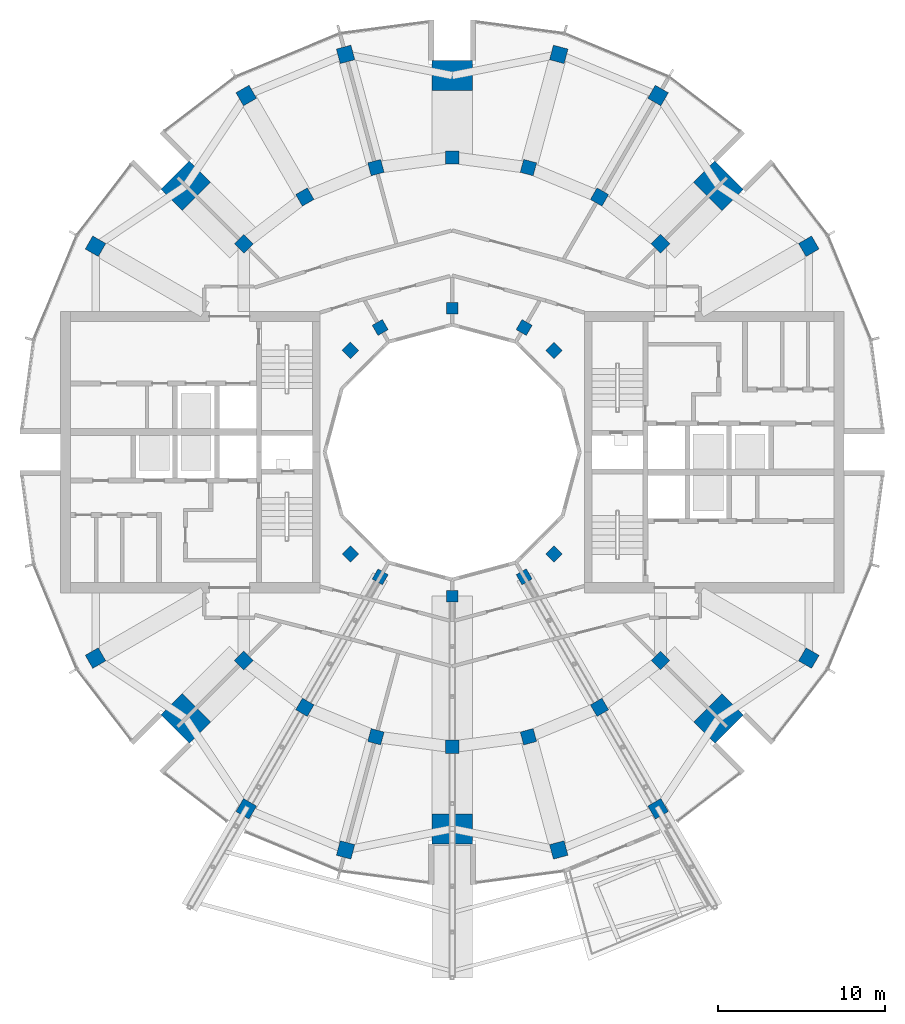
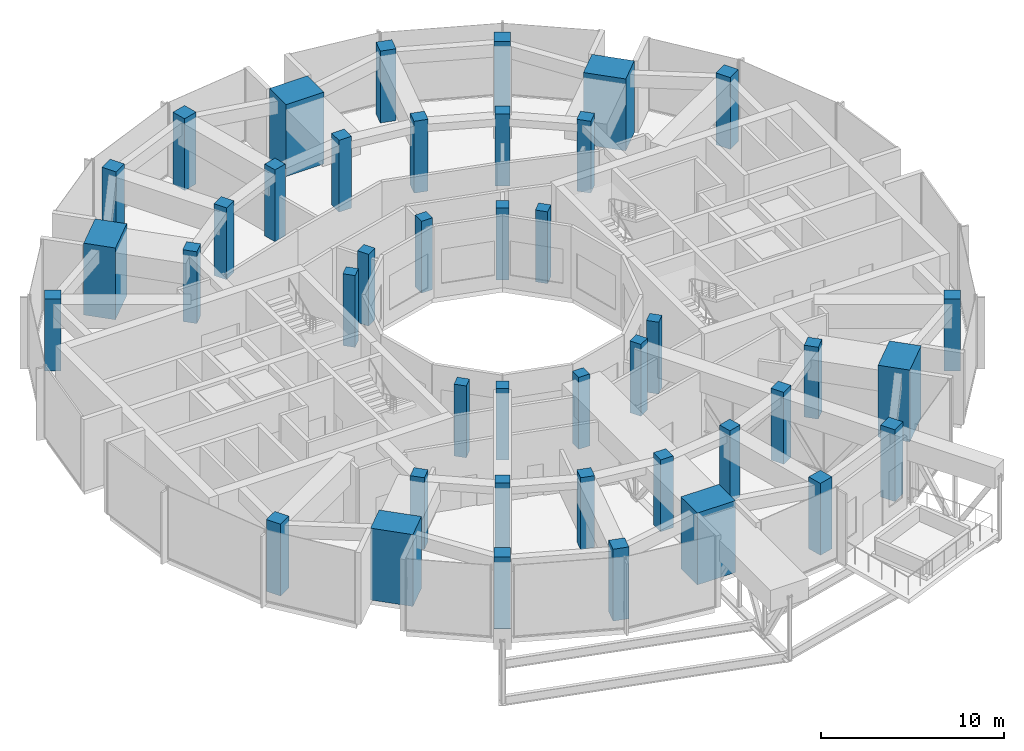
# One storey, part 1 of 17: 42 columns.
"""IFC4 building model written with IfcOpenShell, lengths in metres."""

import ifcopenshell
import ifcopenshell.guid

model = None  # the IFC model being written
_history = None  # IfcOwnerHistory: only IFC2X3 demands one
_inside = {}  # id of a spatial element -> (the spatial element, [elements in it])
_under = {}  # id of a project, library or spatial element -> (it, [spatial elements below it])
_declared = {}  # id of a project -> (the project, [libraries it declares])
_typed = {}  # id of a type object -> (the type object, [elements of that type])
_made_of = {}  # id of a material, layer set ... -> (it, [elements and type objects made of it])


def new_model(schema):
    """Start an empty IFC model of exactly this schema.

    Asked for "IFC4X3", IfcOpenShell would pick the latest addendum, in which some entities
    have other attributes; the version numbers below select the first issue.
    IFC2X3 requires an IfcOwnerHistory on every rooted entity: one is made here for all.
    """
    global model, _history
    if schema == "IFC4X3":
        model = ifcopenshell.file(schema_version=(4, 3, 0, 0))
    else:
        model = ifcopenshell.file(schema=schema)
    _inside.clear()
    _under.clear()
    _declared.clear()
    _typed.clear()
    _made_of.clear()
    _history = None
    if model.schema == "IFC2X3":
        org = make("IfcOrganization", Name="unknown")
        user = make(
            "IfcPersonAndOrganization",
            ThePerson=make("IfcPerson", FamilyName="unknown"),
            TheOrganization=org,
        )
        app = make(
            "IfcApplication",
            ApplicationDeveloper=org,
            Version="unknown",
            ApplicationFullName="unknown",
            ApplicationIdentifier="unknown",
        )
        _history = make(
            "IfcOwnerHistory",
            OwningUser=user,
            OwningApplication=app,
            ChangeAction="ADDED",
            CreationDate=0,
        )
    return model


def make(cls, **values):
    """One entity of the class cls with the attributes given. An attribute that is None is left unset."""
    return model.create_entity(
        cls, **{name: value for name, value in values.items() if value is not None}
    )


def rooted(cls, **values):
    """An entity with a GlobalId (a new one), such as an element, a storey or a relation."""
    return make(cls, GlobalId=ifcopenshell.guid.new(), OwnerHistory=_history, **values)


def si_unit(unit_type, name, prefix=None):
    """IfcSIUnit, for example si_unit("LENGTHUNIT", "METRE", prefix="MILLI")."""
    return make("IfcSIUnit", UnitType=unit_type, Prefix=prefix, Name=name)


def assignment(units):
    """IfcUnitAssignment: the units of a project."""
    return None if units is None else make("IfcUnitAssignment", Units=units)


def point(xyz):
    """IfcCartesianPoint."""
    return None if xyz is None else make("IfcCartesianPoint", Coordinates=xyz)


def direction(xyz):
    """IfcDirection."""
    return None if xyz is None else make("IfcDirection", DirectionRatios=xyz)


def frame(location, z_axis=None, x_axis=None):
    """IfcAxis2Placement3D, a coordinate frame: its origin and axes. An axis left out is left unset."""
    return make(
        "IfcAxis2Placement3D",
        Location=point(location),
        Axis=direction(z_axis),
        RefDirection=direction(x_axis),
    )


def frame_2d(location, x_axis=None):
    """IfcAxis2Placement2D, a coordinate frame in the plane: its origin and x axis."""
    return make(
        "IfcAxis2Placement2D", Location=point(location), RefDirection=direction(x_axis)
    )


def origin():
    """The frame at (0, 0, 0) with its axes left unset."""
    return frame((0.0, 0.0, 0.0))


def origin_2d():
    """The frame at (0, 0) in the plane with its x axis left unset."""
    return frame_2d((0.0, 0.0))


def place(relative_to, where):
    """IfcLocalPlacement: puts the frame where relative to a parent placement (None: the world)."""
    return make(
        "IfcLocalPlacement", PlacementRelTo=relative_to, RelativePlacement=where
    )


def context(
    kind, dimensions, precision=None, world=None, true_north=None, identifier=None
):
    """IfcGeometricRepresentationContext, for example the 3D "Model" context."""
    return make(
        "IfcGeometricRepresentationContext",
        ContextIdentifier=identifier,
        ContextType=kind,
        CoordinateSpaceDimension=dimensions,
        Precision=precision,
        WorldCoordinateSystem=world,
        TrueNorth=true_north,
    )


def subcontext(parent, identifier, kind, view, scale=None):
    """IfcGeometricRepresentationSubContext, for example "Body" below "Model"."""
    return make(
        "IfcGeometricRepresentationSubContext",
        ContextIdentifier=identifier,
        ContextType=kind,
        ParentContext=parent,
        TargetScale=scale,
        TargetView=view,
    )


def project(units=None, contexts=None):
    """IfcProject with its units and contexts."""
    return rooted(
        "IfcProject",
        Name="project",
        RepresentationContexts=contexts,
        UnitsInContext=assignment(units),
    )


def spatial(cls, under=None, at=None, **own):
    """A site, building, storey or space (cls), placed at a placement, below another one or the project."""
    s = rooted(cls, ObjectPlacement=at, **own)
    if under is not None:
        _under.setdefault(under.id(), (under, []))[1].append(s)
    return s


def profile(cls, at=None, kind="AREA", **sizes):
    """A parametric profile (cls). Its sizes go by their IFC names, for example OverallWidth=200.0."""
    return make(cls, ProfileType=kind, Position=at, **sizes)


def rectangle(**sizes):
    """IfcRectangleProfileDef."""
    return profile("IfcRectangleProfileDef", **sizes)


def extrude(swept, where, along, depth):
    """IfcExtrudedAreaSolid: the profile swept, set in the frame where, extruded along a direction by depth."""
    return make(
        "IfcExtrudedAreaSolid",
        SweptArea=swept,
        Position=where,
        ExtrudedDirection=direction(along),
        Depth=depth,
    )


def shape(context_of_items, identifier, shape_type, items):
    """IfcShapeRepresentation: the items that make up one representation, for example the "Body"."""
    return make(
        "IfcShapeRepresentation",
        ContextOfItems=context_of_items,
        RepresentationIdentifier=identifier,
        RepresentationType=shape_type,
        Items=items,
    )


def material(Name=None, Category=None):
    """IfcMaterial."""
    return make("IfcMaterial", Name=Name, Category=Category)


def material_profile(
    of_material, cross_section, Name=None, Category=None, Priority=None
):
    """IfcMaterialProfile: a cross section and its material."""
    return make(
        "IfcMaterialProfile",
        Name=Name,
        Material=of_material,
        Profile=cross_section,
        Priority=Priority,
        Category=Category,
    )


def profile_set(profiles, Name=None, composite=None):
    """IfcMaterialProfileSet."""
    return make(
        "IfcMaterialProfileSet",
        Name=Name,
        MaterialProfiles=profiles,
        CompositeProfile=composite,
    )


def made_of(thing, what):
    """Note that an element or type object is made of a material, layer set ...; save() writes the relation."""
    if what is not None:
        _made_of.setdefault(what.id(), (what, []))[1].append(thing)
    return thing


def type_object(cls, material=None, **own):
    """A type object (cls), such as IfcWallType, which elements share."""
    return made_of(rooted(cls, **own), material)


def element(
    cls,
    number,
    at=None,
    inside=None,
    cuts=None,
    type_object=None,
    material=None,
    context=None,
    identifier="Body",
    shape_type=None,
    held_by="IfcProductDefinitionShape",
    body=None,
    shapes=None,
    **own,
):
    """One element of the class cls, such as IfcWall. Its Tag is "e" and its number.

    at: its placement. inside: the storey or other place that contains it. cuts: it is an
    opening in that element (IfcRelVoidsElement). A single representation is given by context,
    identifier, shape_type and body (its items); several are given by shapes. held_by: the class
    of the entity that holds the representations. save() writes the other relations.
    """
    e = rooted(cls, Tag="e%d" % number, ObjectPlacement=at, **own)
    if body is not None:
        shapes = [shape(context, identifier, shape_type, body)]
    if shapes is not None:
        e.Representation = make(held_by, Representations=shapes)
    if inside is not None:
        _inside.setdefault(inside.id(), (inside, []))[1].append(e)
    if cuts is not None:
        rooted(
            "IfcRelVoidsElement", RelatingBuildingElement=cuts, RelatedOpeningElement=e
        )
    if type_object is not None:
        _typed.setdefault(type_object.id(), (type_object, []))[1].append(e)
    return made_of(e, material)


def aggregate(whole, parts):
    """IfcRelAggregates: a whole, such as a stair, and the parts it consists of."""
    return rooted("IfcRelAggregates", RelatingObject=whole, RelatedObjects=parts)


def save(model, path):
    """Write the relations noted so far, then the file.

    IfcRelAggregates (storeys below a building ...), IfcRelContainedInSpatialStructure (elements
    in a storey), IfcRelDefinesByType, IfcRelAssociatesMaterial and IfcRelDeclares: one each for
    every whole, place, type object, material and project.
    """
    for whole, parts in _under.values():
        aggregate(whole, parts)
    for where, things in _inside.values():
        rooted(
            "IfcRelContainedInSpatialStructure",
            RelatedElements=things,
            RelatingStructure=where,
        )
    for kind, things in _typed.values():
        rooted("IfcRelDefinesByType", RelatedObjects=things, RelatingType=kind)
    for what, things in _made_of.values():
        rooted("IfcRelAssociatesMaterial", RelatedObjects=things, RelatingMaterial=what)
    for by, libraries in _declared.values():
        rooted("IfcRelDeclares", RelatingContext=by, RelatedDefinitions=libraries)
    model.write(path)


model = new_model("IFC4")

# Units and contexts
model_context = context("Model", 3, precision=1e-05, world=origin(), true_north=direction((0.0, 1.0)))
body_context = subcontext(model_context, "Body", "Model", "MODEL_VIEW")
ifc_project = project(units=[si_unit("LENGTHUNIT", "METRE"), si_unit("AREAUNIT", "SQUARE_METRE"), si_unit("VOLUMEUNIT", "CUBIC_METRE"), si_unit("PLANEANGLEUNIT", "RADIAN"), si_unit("MASSUNIT", "GRAM", prefix="KILO")], contexts=[model_context])

# Site, building, storey
site_placement = place(None, origin())
site = spatial("IfcSite", under=ifc_project, at=site_placement, CompositionType="ELEMENT")
building_placement = place(site_placement, origin())
building = spatial("IfcBuilding", under=site, at=building_placement, Name="Torre Brocal", CompositionType="ELEMENT")
storey_placement = place(building_placement, frame((0.0, 0.0, 270.89990234375)))
storey = spatial("IfcBuildingStorey", under=building, at=storey_placement, Name="L62", CompositionType="ELEMENT", Elevation=270.89990234375)

# Columns
ifc_material_1 = material(Name="Concrete C60", Category="concrete")
ifc_material_profile_1 = material_profile(ifc_material_1, rectangle(XDim=1.800048828125, YDim=2.39990234375, at=origin_2d()), Name="RC 1800X2400")
ifc_profile_set_1 = profile_set([ifc_material_profile_1], Name="Concrete C60")
column_type_1 = type_object("IfcColumnType", Name="RC COLUMN 1800X2400 C60", PredefinedType="COLUMN", material=ifc_profile_set_1)
for number, where, z_axis, x_axis, name in (
    (1, (95.909912109375, 90.909912109375, 0.0), (0.0, 0.0, 1.0), (0.707106781187, 0.707106781187, 0.0), "Column MC-1"),
    (2, (80.0, 97.5, 0.0), (0.0, 0.0, 1.0), (0.0, 1.0, 0.0), "Column MC-2"),
    (3, (64.090087890625, 90.909912109375, 0.0), (0.0, 0.0, 1.0), (-0.707106781187, 0.707106781187, 0.0), "Column MC-3"),
    (4, (64.090087890625, 59.090087890625, 0.0), (0.0, 0.0, 1.0), (-0.707106781187, -0.707106781187, 0.0), "Column MC-5"),
    (5, (80.0, 52.5, 0.0), (0.0, 0.0, 1.0), (0.0, -1.0, 0.0), "Column MC-6"),
    (6, (95.909912109375, 59.090087890625, 0.0), (0.0, 0.0, 1.0), (0.707106781187, -0.707106781187, 0.0), "Column MC-7"),
):
    element("IfcColumn", number, at=place(storey_placement, frame(where, z_axis=z_axis, x_axis=x_axis)), inside=storey, type_object=column_type_1, Name=name, PredefinedType="COLUMN", context=body_context, shape_type="SweptSolid", body=[
        extrude(rectangle(XDim=1.800048828125, YDim=2.39990234375, at=origin_2d()), origin(), (0.0, 0.0, 1.0), 4.800048828125),
    ])
ifc_material_2 = material(Name="Concrete C60", Category="concrete")
ifc_material_profile_2 = material_profile(ifc_material_2, rectangle(XDim=0.699951171875, YDim=0.699951171875, at=origin_2d()), Name="RC 700X700")
ifc_profile_set_2 = profile_set([ifc_material_profile_2], Name="Concrete C60")
column_type_2 = type_object("IfcColumnType", Name="RC COLUMN 700X700 C60", PredefinedType="COLUMN", material=ifc_profile_set_2)
for number, where, z_axis, x_axis, name in (
    (7, (86.0810546875, 81.0810546875, 0.0), (0.0, 0.0, 1.0), (0.707106781187, 0.707106781187, 0.0), "Column C-I03"),
    (8, (84.300048828125, 82.44775390625, 0.0), (0.0, 0.0, 1.0), (0.5, 0.866025403784, 0.0), "Column C-I04"),
    (9, (80.0, 83.60009765625, 0.0), (0.0, 0.0, 1.0), (0.0, 1.0, 0.0), "Column C-I06"),
    (10, (75.699951171875, 82.44775390625, 0.0), (0.0, 0.0, 1.0), (-0.5, 0.866025403784, 0.0), "Column C-I08"),
    (11, (73.9189453125, 81.0810546875, 0.0), (0.0, 0.0, 1.0), (-0.707106781187, 0.707106781187, 0.0), "Column C-I09"),
    (12, (73.9189453125, 68.9189453125, 0.0), (0.0, 0.0, 1.0), (-0.707106781187, -0.707106781187, 0.0), "Column C-I15"),
    (13, (75.699951171875, 67.55224609375, 0.0), (0.0, 0.0, 1.0), (-0.5, -0.866025403784, 0.0), "Column C-I16"),
    (14, (80.0, 66.39990234375, 0.0), (0.0, 0.0, 1.0), (0.0, -1.0, 0.0), "Column C-I18"),
    (15, (84.300048828125, 67.55224609375, 0.0), (0.0, 0.0, 1.0), (0.5, -0.866025403784, 0.0), "Column C-I20"),
    (16, (86.0810546875, 68.9189453125, 0.0), (0.0, 0.0, 1.0), (0.707106781187, -0.707106781187, 0.0), "Column C-I21"),
):
    element("IfcColumn", number, at=place(storey_placement, frame(where, z_axis=z_axis, x_axis=x_axis)), inside=storey, type_object=column_type_2, Name=name, PredefinedType="COLUMN", context=body_context, shape_type="SweptSolid", body=[
        extrude(rectangle(XDim=0.699951171875, YDim=0.699951171875, at=origin_2d()), origin(), (0.0, 0.0, 1.0), 4.800048828125),
    ])
ifc_material_3 = material(Name="Concrete C60", Category="concrete")
ifc_material_profile_3 = material_profile(ifc_material_3, rectangle(XDim=0.800048828125, YDim=0.800048828125, at=origin_2d()), Name="RC 800X800")
ifc_profile_set_3 = profile_set([ifc_material_profile_3], Name="Concrete C60")
column_type_3 = type_object("IfcColumnType", Name="RC COLUMN 800X800 C60", PredefinedType="COLUMN", material=ifc_profile_set_3)
for number, where, z_axis, x_axis, name in (
    (17, (92.445068359375, 87.445068359375, 0.0), (0.0, 0.0, 1.0), (0.707106781187, 0.707106781187, 0.0), "Column C-M03"),
    (18, (88.800048828125, 90.241943359375, 0.0), (0.0, 0.0, 1.0), (0.5, 0.866025403784, 0.0), "Column C-M04"),
    (19, (84.55517578125, 92.000244140625, 0.0), (0.0, 0.0, 1.0), (0.258819045103, 0.965925826289, 0.0), "Column C-M05"),
    (20, (80.0, 92.60009765625, 0.0), (0.0, 0.0, 1.0), (0.0, 1.0, 0.0), "Column C-M06"),
    (21, (75.44482421875, 92.000244140625, 0.0), (0.0, 0.0, 1.0), (-0.258819045103, 0.965925826289, 0.0), "Column C-M07"),
    (22, (71.199951171875, 90.241943359375, 0.0), (0.0, 0.0, 1.0), (-0.5, 0.866025403784, 0.0), "Column C-M08"),
    (23, (67.554931640625, 87.445068359375, 0.0), (0.0, 0.0, 1.0), (-0.707106781187, 0.707106781187, 0.0), "Column C-M09"),
    (24, (67.554931640625, 62.554931640625, 0.0), (0.0, 0.0, 1.0), (-0.707106781187, -0.707106781187, 0.0), "Column C-M15"),
    (25, (71.199951171875, 59.758056640625, 0.0), (0.0, 0.0, 1.0), (-0.5, -0.866025403784, 0.0), "Column C-M16"),
    (26, (75.44482421875, 57.999755859375, 0.0), (0.0, 0.0, 1.0), (-0.258819045103, -0.965925826289, 0.0), "Column C-M17"),
    (27, (80.0, 57.39990234375, 0.0), (0.0, 0.0, 1.0), (0.0, -1.0, 0.0), "Column C-M18"),
    (28, (84.55517578125, 57.999755859375, 0.0), (0.0, 0.0, 1.0), (0.258819045103, -0.965925826289, 0.0), "Column C-M19"),
    (29, (88.800048828125, 59.758056640625, 0.0), (0.0, 0.0, 1.0), (0.5, -0.866025403784, 0.0), "Column C-M20"),
    (30, (92.445068359375, 62.554931640625, 0.0), (0.0, 0.0, 1.0), (0.707106781187, -0.707106781187, 0.0), "Column C-M21"),
):
    element("IfcColumn", number, at=place(storey_placement, frame(where, z_axis=z_axis, x_axis=x_axis)), inside=storey, type_object=column_type_3, Name=name, PredefinedType="COLUMN", context=body_context, shape_type="SweptSolid", body=[
        extrude(rectangle(XDim=0.800048828125, YDim=0.800048828125, at=origin_2d()), origin(), (0.0, 0.0, 1.0), 4.800048828125),
    ])
ifc_material_4 = material(Name="Concrete C60", Category="concrete")
ifc_material_profile_4 = material_profile(ifc_material_4, rectangle(XDim=0.89990234375, YDim=0.89990234375, at=origin_2d()), Name="RC 900X900")
ifc_profile_set_4 = profile_set([ifc_material_profile_4], Name="Concrete C60")
column_type_4 = type_object("IfcColumnType", Name="RC COLUMN 900X900 C60", PredefinedType="COLUMN", material=ifc_profile_set_4)
for number, where, z_axis, x_axis, name in (
    (31, (101.30419921875, 87.300048828125, 0.0), (0.0, 0.0, 1.0), (0.866025403784, 0.5, 0.0), "Column C-O02"),
    (32, (92.300048828125, 96.30419921875, 0.0), (0.0, 0.0, 1.0), (0.5, 0.866025403784, 0.0), "Column C-O04"),
    (33, (86.366943359375, 98.76171875, 0.0), (0.0, 0.0, 1.0), (0.258819045103, 0.965925826289, 0.0), "Column C-O05"),
    (34, (73.633056640625, 98.76171875, 0.0), (0.0, 0.0, 1.0), (-0.258819045103, 0.965925826289, 0.0), "Column C-O07"),
    (35, (67.699951171875, 96.30419921875, 0.0), (0.0, 0.0, 1.0), (-0.5, 0.866025403784, 0.0), "Column C-O08"),
    (36, (58.69580078125, 87.300048828125, 0.0), (0.0, 0.0, 1.0), (-0.866025403784, 0.5, 0.0), "Column C-O10"),
    (37, (58.69580078125, 62.699951171875, 0.0), (0.0, 0.0, 1.0), (-0.866025403784, -0.5, 0.0), "Column C-O14"),
    (38, (67.699951171875, 53.69580078125, 0.0), (0.0, 0.0, 1.0), (-0.5, -0.866025403784, 0.0), "Column C-O16"),
    (39, (73.633056640625, 51.23828125, 0.0), (0.0, 0.0, 1.0), (-0.258819045103, -0.965925826289, 0.0), "Column C-O17"),
    (40, (86.366943359375, 51.23828125, 0.0), (0.0, 0.0, 1.0), (0.258819045103, -0.965925826289, 0.0), "Column C-O19"),
    (41, (92.300048828125, 53.69580078125, 0.0), (0.0, 0.0, 1.0), (0.5, -0.866025403784, 0.0), "Column C-O20"),
    (42, (101.30419921875, 62.699951171875, 0.0), (0.0, 0.0, 1.0), (0.866025403784, -0.5, 0.0), "Column C-O22"),
):
    element("IfcColumn", number, at=place(storey_placement, frame(where, z_axis=z_axis, x_axis=x_axis)), inside=storey, type_object=column_type_4, Name=name, PredefinedType="COLUMN", context=body_context, shape_type="SweptSolid", body=[
        extrude(rectangle(XDim=0.89990234375, YDim=0.89990234375, at=origin_2d()), origin(), (0.0, 0.0, 1.0), 4.800048828125),
    ])

save(model, "model.ifc")
